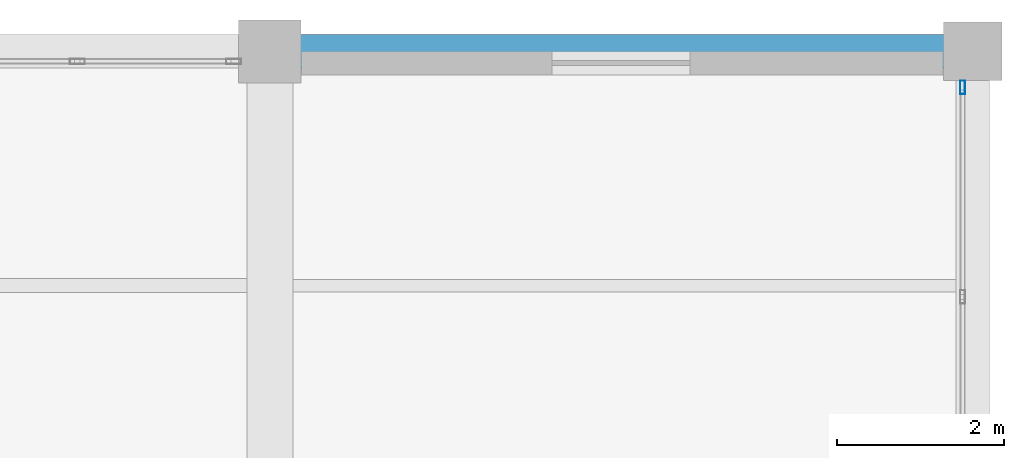
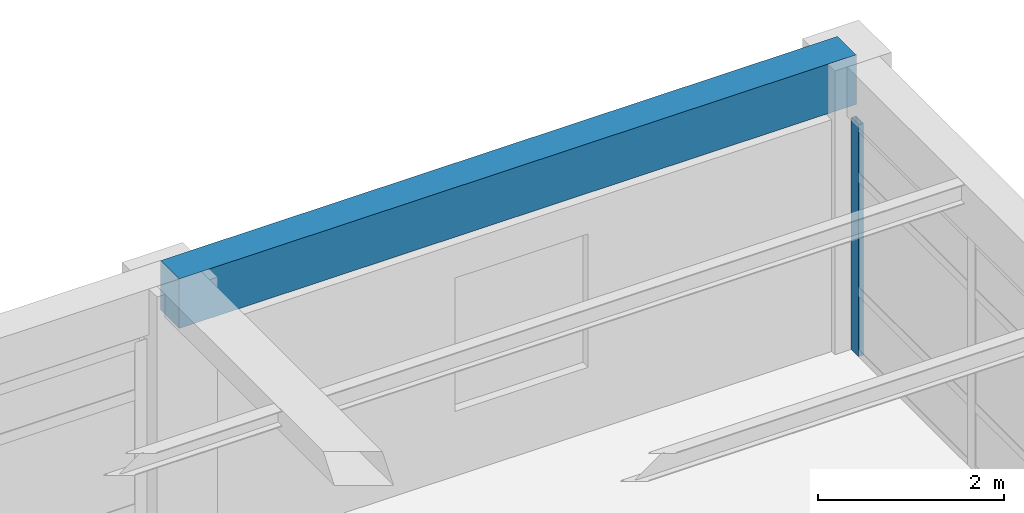
# One storey, part 25 of 31: 1 beam, 1 member, 1 element without a shape of its own.
"""IFC4 building model written with IfcOpenShell, lengths in metres."""

import ifcopenshell
import ifcopenshell.guid

model = None  # the IFC model being written
_history = None  # IfcOwnerHistory: only IFC2X3 demands one
_inside = {}  # id of a spatial element -> (the spatial element, [elements in it])
_under = {}  # id of a project, library or spatial element -> (it, [spatial elements below it])
_declared = {}  # id of a project -> (the project, [libraries it declares])
_typed = {}  # id of a type object -> (the type object, [elements of that type])
_made_of = {}  # id of a material, layer set ... -> (it, [elements and type objects made of it])


def new_model(schema):
    """Start an empty IFC model of exactly this schema.

    Asked for "IFC4X3", IfcOpenShell would pick the latest addendum, in which some entities
    have other attributes; the version numbers below select the first issue.
    IFC2X3 requires an IfcOwnerHistory on every rooted entity: one is made here for all.
    """
    global model, _history
    if schema == "IFC4X3":
        model = ifcopenshell.file(schema_version=(4, 3, 0, 0))
    else:
        model = ifcopenshell.file(schema=schema)
    _inside.clear()
    _under.clear()
    _declared.clear()
    _typed.clear()
    _made_of.clear()
    _history = None
    if model.schema == "IFC2X3":
        org = make("IfcOrganization", Name="unknown")
        user = make(
            "IfcPersonAndOrganization",
            ThePerson=make("IfcPerson", FamilyName="unknown"),
            TheOrganization=org,
        )
        app = make(
            "IfcApplication",
            ApplicationDeveloper=org,
            Version="unknown",
            ApplicationFullName="unknown",
            ApplicationIdentifier="unknown",
        )
        _history = make(
            "IfcOwnerHistory",
            OwningUser=user,
            OwningApplication=app,
            ChangeAction="ADDED",
            CreationDate=0,
        )
    return model


def make(cls, **values):
    """One entity of the class cls with the attributes given. An attribute that is None is left unset."""
    return model.create_entity(
        cls, **{name: value for name, value in values.items() if value is not None}
    )


def rooted(cls, **values):
    """An entity with a GlobalId (a new one), such as an element, a storey or a relation."""
    return make(cls, GlobalId=ifcopenshell.guid.new(), OwnerHistory=_history, **values)


def si_unit(unit_type, name, prefix=None):
    """IfcSIUnit, for example si_unit("LENGTHUNIT", "METRE", prefix="MILLI")."""
    return make("IfcSIUnit", UnitType=unit_type, Prefix=prefix, Name=name)


def assignment(units):
    """IfcUnitAssignment: the units of a project."""
    return None if units is None else make("IfcUnitAssignment", Units=units)


def point(xyz):
    """IfcCartesianPoint."""
    return None if xyz is None else make("IfcCartesianPoint", Coordinates=xyz)


def direction(xyz):
    """IfcDirection."""
    return None if xyz is None else make("IfcDirection", DirectionRatios=xyz)


def frame(location, z_axis=None, x_axis=None):
    """IfcAxis2Placement3D, a coordinate frame: its origin and axes. An axis left out is left unset."""
    return make(
        "IfcAxis2Placement3D",
        Location=point(location),
        Axis=direction(z_axis),
        RefDirection=direction(x_axis),
    )


def frame_2d(location, x_axis=None):
    """IfcAxis2Placement2D, a coordinate frame in the plane: its origin and x axis."""
    return make(
        "IfcAxis2Placement2D", Location=point(location), RefDirection=direction(x_axis)
    )


def origin():
    """The frame at (0, 0, 0) with its axes left unset."""
    return frame((0.0, 0.0, 0.0))


def origin_2d():
    """The frame at (0, 0) in the plane with its x axis left unset."""
    return frame_2d((0.0, 0.0))


def place(relative_to, where):
    """IfcLocalPlacement: puts the frame where relative to a parent placement (None: the world)."""
    return make(
        "IfcLocalPlacement", PlacementRelTo=relative_to, RelativePlacement=where
    )


def context(
    kind, dimensions, precision=None, world=None, true_north=None, identifier=None
):
    """IfcGeometricRepresentationContext, for example the 3D "Model" context."""
    return make(
        "IfcGeometricRepresentationContext",
        ContextIdentifier=identifier,
        ContextType=kind,
        CoordinateSpaceDimension=dimensions,
        Precision=precision,
        WorldCoordinateSystem=world,
        TrueNorth=true_north,
    )


def subcontext(parent, identifier, kind, view, scale=None):
    """IfcGeometricRepresentationSubContext, for example "Body" below "Model"."""
    return make(
        "IfcGeometricRepresentationSubContext",
        ContextIdentifier=identifier,
        ContextType=kind,
        ParentContext=parent,
        TargetScale=scale,
        TargetView=view,
    )


def project(units=None, contexts=None):
    """IfcProject with its units and contexts."""
    return rooted(
        "IfcProject",
        Name="project",
        RepresentationContexts=contexts,
        UnitsInContext=assignment(units),
    )


def spatial(cls, under=None, at=None, **own):
    """A site, building, storey or space (cls), placed at a placement, below another one or the project."""
    s = rooted(cls, ObjectPlacement=at, **own)
    if under is not None:
        _under.setdefault(under.id(), (under, []))[1].append(s)
    return s


def profile(cls, at=None, kind="AREA", **sizes):
    """A parametric profile (cls). Its sizes go by their IFC names, for example OverallWidth=200.0."""
    return make(cls, ProfileType=kind, Position=at, **sizes)


def rectangle(**sizes):
    """IfcRectangleProfileDef."""
    return profile("IfcRectangleProfileDef", **sizes)


def hollow_rectangle(**sizes):
    """IfcRectangleHollowProfileDef."""
    return profile("IfcRectangleHollowProfileDef", **sizes)


def extrude(swept, where, along, depth):
    """IfcExtrudedAreaSolid: the profile swept, set in the frame where, extruded along a direction by depth."""
    return make(
        "IfcExtrudedAreaSolid",
        SweptArea=swept,
        Position=where,
        ExtrudedDirection=direction(along),
        Depth=depth,
    )


def shape(context_of_items, identifier, shape_type, items):
    """IfcShapeRepresentation: the items that make up one representation, for example the "Body"."""
    return make(
        "IfcShapeRepresentation",
        ContextOfItems=context_of_items,
        RepresentationIdentifier=identifier,
        RepresentationType=shape_type,
        Items=items,
    )


def material(Name=None, Category=None):
    """IfcMaterial."""
    return make("IfcMaterial", Name=Name, Category=Category)


def material_profile(
    of_material, cross_section, Name=None, Category=None, Priority=None
):
    """IfcMaterialProfile: a cross section and its material."""
    return make(
        "IfcMaterialProfile",
        Name=Name,
        Material=of_material,
        Profile=cross_section,
        Priority=Priority,
        Category=Category,
    )


def profile_set(profiles, Name=None, composite=None):
    """IfcMaterialProfileSet."""
    return make(
        "IfcMaterialProfileSet",
        Name=Name,
        MaterialProfiles=profiles,
        CompositeProfile=composite,
    )


def made_of(thing, what):
    """Note that an element or type object is made of a material, layer set ...; save() writes the relation."""
    if what is not None:
        _made_of.setdefault(what.id(), (what, []))[1].append(thing)
    return thing


def type_object(cls, material=None, **own):
    """A type object (cls), such as IfcWallType, which elements share."""
    return made_of(rooted(cls, **own), material)


def element(
    cls,
    number,
    at=None,
    inside=None,
    cuts=None,
    type_object=None,
    material=None,
    context=None,
    identifier="Body",
    shape_type=None,
    held_by="IfcProductDefinitionShape",
    body=None,
    shapes=None,
    **own,
):
    """One element of the class cls, such as IfcWall. Its Tag is "e" and its number.

    at: its placement. inside: the storey or other place that contains it. cuts: it is an
    opening in that element (IfcRelVoidsElement). A single representation is given by context,
    identifier, shape_type and body (its items); several are given by shapes. held_by: the class
    of the entity that holds the representations. save() writes the other relations.
    """
    e = rooted(cls, Tag="e%d" % number, ObjectPlacement=at, **own)
    if body is not None:
        shapes = [shape(context, identifier, shape_type, body)]
    if shapes is not None:
        e.Representation = make(held_by, Representations=shapes)
    if inside is not None:
        _inside.setdefault(inside.id(), (inside, []))[1].append(e)
    if cuts is not None:
        rooted(
            "IfcRelVoidsElement", RelatingBuildingElement=cuts, RelatedOpeningElement=e
        )
    if type_object is not None:
        _typed.setdefault(type_object.id(), (type_object, []))[1].append(e)
    return made_of(e, material)


def aggregate(whole, parts):
    """IfcRelAggregates: a whole, such as a stair, and the parts it consists of."""
    return rooted("IfcRelAggregates", RelatingObject=whole, RelatedObjects=parts)


def save(model, path):
    """Write the relations noted so far, then the file.

    IfcRelAggregates (storeys below a building ...), IfcRelContainedInSpatialStructure (elements
    in a storey), IfcRelDefinesByType, IfcRelAssociatesMaterial and IfcRelDeclares: one each for
    every whole, place, type object, material and project.
    """
    for whole, parts in _under.values():
        aggregate(whole, parts)
    for where, things in _inside.values():
        rooted(
            "IfcRelContainedInSpatialStructure",
            RelatedElements=things,
            RelatingStructure=where,
        )
    for kind, things in _typed.values():
        rooted("IfcRelDefinesByType", RelatedObjects=things, RelatingType=kind)
    for what, things in _made_of.values():
        rooted("IfcRelAssociatesMaterial", RelatedObjects=things, RelatingMaterial=what)
    for by, libraries in _declared.values():
        rooted("IfcRelDeclares", RelatingContext=by, RelatedDefinitions=libraries)
    model.write(path)


model = new_model("IFC4")

# Units and contexts
model_context = context("Model", 3, precision=1e-05, world=origin(), true_north=direction((0.0, 1.0)))
body_context = subcontext(model_context, "Body", "Model", "MODEL_VIEW")
ifc_project = project(units=[si_unit("LENGTHUNIT", "METRE"), si_unit("AREAUNIT", "SQUARE_METRE"), si_unit("VOLUMEUNIT", "CUBIC_METRE"), si_unit("PLANEANGLEUNIT", "RADIAN"), si_unit("MASSUNIT", "GRAM", prefix="KILO")], contexts=[model_context])

# Site, building, storey
site_placement = place(None, origin())
site = spatial("IfcSite", under=ifc_project, at=site_placement, CompositionType="ELEMENT")
building_placement = place(site_placement, origin())
building = spatial("IfcBuilding", under=site, at=building_placement, Name="Almacenes y Pasaje Nevantli", CompositionType="ELEMENT")
storey_placement = place(building_placement, frame((0.0, 0.0, 34.699951171875)))
storey = spatial("IfcBuildingStorey", under=building, at=storey_placement, Name="L08", CompositionType="ELEMENT", Elevation=34.699951171875)

# Beam
ifc_material_1 = material(Name="Concrete C35/45", Category="concrete")
ifc_material_profile_1 = material_profile(ifc_material_1, rectangle(XDim=0.39990234375, YDim=0.64990234375, at=origin_2d()), Name="RC-BM-400x650")
ifc_profile_set_1 = profile_set([ifc_material_profile_1], Name="Concrete C35/45")
beam_type = type_object("IfcBeamType", Name="BM-RC-400x650", PredefinedType="SPANDREL", material=ifc_profile_set_1)
beam_placement = place(storey_placement, frame((151.199951171875, 100.800048828125, 3.39501953125), z_axis=(1.0, 0.0, 0.0), x_axis=(0.0, 1.0, 0.0)))
element("IfcBeam", 1, at=beam_placement, inside=storey, type_object=beam_type, Name="L08 East-West Reinforced Concrete Beam #3714", PredefinedType="SPANDREL", context=body_context, shape_type="SweptSolid", body=[
    extrude(rectangle(XDim=0.39990234375, YDim=0.64990234375, at=origin_2d()), origin(), (0.0, 0.0, 1.0), 8.400146484375),
])

# Curtain wall, member
ifc_material_2 = material(Name="Thermally Broken Aluminium and Low-E Glass", Category="aluminium")
curtain_wall_type = type_object("IfcCurtainWallType", Name="CW-UNIT-TOWER", PredefinedType="USERDEFINED", material=ifc_material_2)
curtain_wall_placement = place(storey_placement, origin())
curtain_wall = element("IfcCurtainWall", 2, at=curtain_wall_placement, inside=storey, type_object=curtain_wall_type, Name="L08 Tower East Curtain Wall Bay 12", ObjectType="UNITIZED CURTAIN WALL", PredefinedType="USERDEFINED")
ifc_material_3 = material(Name="Thermally Broken Anodized Aluminium", Category="aluminium")
ifc_material_profile_2 = material_profile(ifc_material_3, hollow_rectangle(XDim=0.06005859375, YDim=0.159912109375, WallThickness=0.00390625, at=origin_2d()), Name="ALU-MUL-60x160")
ifc_profile_set_2 = profile_set([ifc_material_profile_2], Name="Thermally Broken Anodized Aluminium")
member_type = type_object("IfcMemberType", Name="CW-MUL-180", PredefinedType="MULLION", material=ifc_profile_set_2)
member_placement = place(storey_placement, frame((159.47998046875, 100.3701171875, 0.0), z_axis=(0.0, 0.0, 1.0), x_axis=(-1.0, 0.0, 0.0)))
member = element("IfcMember", 3, at=member_placement, type_object=member_type, Name="CW-L08-130 mullion 4", PredefinedType="MULLION", context=body_context, shape_type="SweptSolid", body=[
    extrude(hollow_rectangle(XDim=0.06005859375, YDim=0.159912109375, WallThickness=0.00390625, at=origin_2d()), origin(), (0.0, 0.0, 1.0), 3.0400390625),
])
aggregate(curtain_wall, [member])

save(model, "model.ifc")
